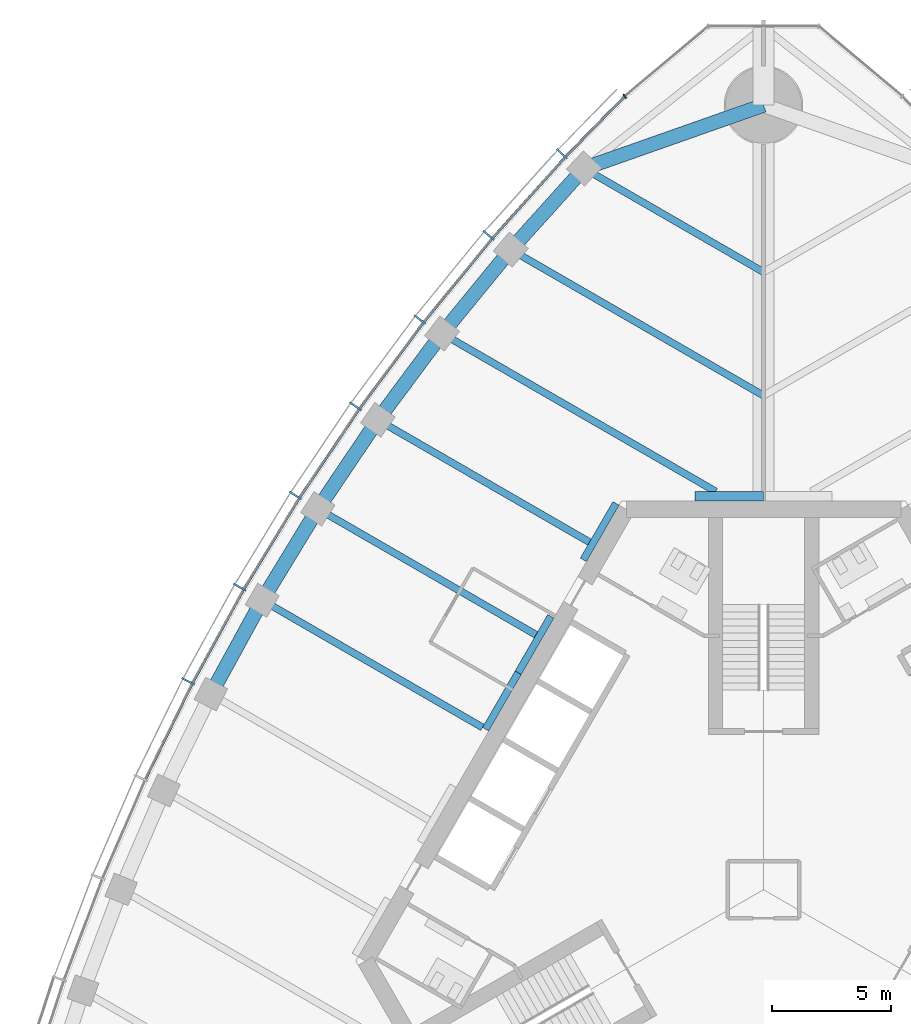
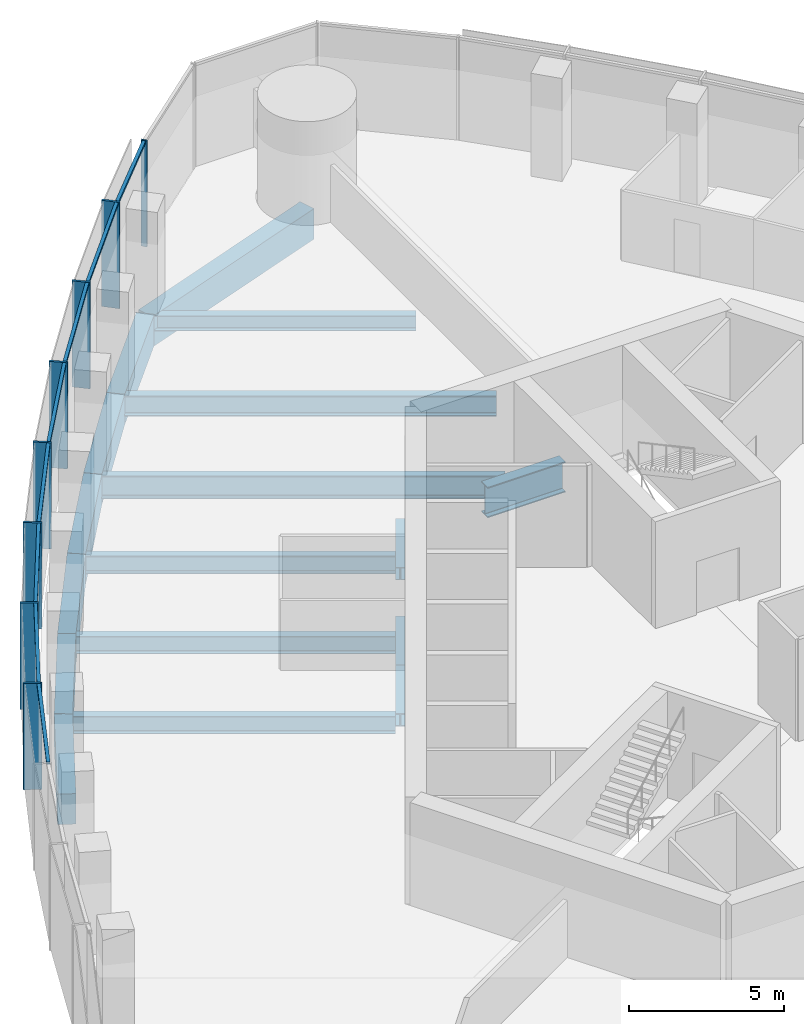
# One storey, part 5 of 19: 17 beams, 16 members, 2 elements without a shape of their own.
"""IFC4 building model written with IfcOpenShell, lengths in metres."""

from ifc_helpers import new_model, si_unit, direction, frame, origin, origin_2d, place, context, subcontext, project, spatial, rectangle, i_section, extrude, material, material_profile, profile_set, type_object, element, aggregate, save


model = new_model("IFC4")

# Units and contexts
model_context = context("Model", 3, precision=1e-05, world=origin(), true_north=direction((0.0, 1.0)))
body_context = subcontext(model_context, "Body", "Model", "MODEL_VIEW")
ifc_project = project(units=[si_unit("LENGTHUNIT", "METRE"), si_unit("AREAUNIT", "SQUARE_METRE"), si_unit("VOLUMEUNIT", "CUBIC_METRE"), si_unit("PLANEANGLEUNIT", "RADIAN"), si_unit("MASSUNIT", "GRAM", prefix="KILO")], contexts=[model_context])

# Site, building, storey
site_placement = place(None, origin())
site = spatial("IfcSite", under=ifc_project, at=site_placement, CompositionType="ELEMENT")
building_placement = place(site_placement, origin())
building = spatial("IfcBuilding", under=site, at=building_placement, Name="Trefoil Bronze Tower", CompositionType="ELEMENT")
storey_placement = place(building_placement, frame((0.0, 0.0, 235.89990234375)))
storey = spatial("IfcBuildingStorey", under=building, at=storey_placement, Name="L54", CompositionType="ELEMENT", Elevation=235.89990234375)

# Curtain wall, members
ifc_material_1 = material(Name="Tinted solar-control glass", Category="glass")
curtain_wall_type_1 = type_object("IfcCurtainWallType", Name="Bronze office curtain wall", PredefinedType="USERDEFINED", material=ifc_material_1)
curtain_wall_1_placement = place(storey_placement, origin())
curtain_wall_1 = element("IfcCurtainWall", 1, at=curtain_wall_1_placement, inside=storey, type_object=curtain_wall_type_1, Name="CW-A L54 F3", ObjectType="CURTAIN WALL", PredefinedType="USERDEFINED")
ifc_material_2 = material(Name="Bronze-finish aluminium", Category="aluminium")
ifc_material_profile_1 = material_profile(ifc_material_2, rectangle(XDim=0.60009765625, YDim=0.080078125, at=origin_2d()), Name="CW-A mullion")
ifc_profile_set_1 = profile_set([ifc_material_profile_1], Name="Bronze-finish aluminium")
member_type_1 = type_object("IfcMemberType", Name="Bronze office curtain wall mullion", PredefinedType="MULLION", material=ifc_profile_set_1)
member_1_placement = place(storey_placement, frame((-8.482177734375, 30.95654296875, 0.0), z_axis=(0.0, 0.0, 1.0), x_axis=(0.729859580661, -0.683597098091, 0.0)))
member_1 = element("IfcMember", 2, at=member_1_placement, type_object=member_type_1, Name="CW-A L54 F3 mullion 2", PredefinedType="MULLION", context=body_context, shape_type="SweptSolid", body=[
    extrude(rectangle(XDim=0.60009765625, YDim=0.080078125, at=origin_2d()), origin(), (0.0, 0.0, 1.0), 4.18017578125),
])
member_2_placement = place(storey_placement, frame((-11.564697265625, 27.525146484375, 0.0), z_axis=(0.0, 0.0, 1.0), x_axis=(0.75935470958, -0.650676897576, 0.0)))
member_2 = element("IfcMember", 3, at=member_2_placement, type_object=member_type_1, Name="CW-A L54 F3 mullion 3", PredefinedType="MULLION", context=body_context, shape_type="SweptSolid", body=[
    extrude(rectangle(XDim=0.60009765625, YDim=0.080078125, at=origin_2d()), origin(), (0.0, 0.0, 1.0), 4.18017578125),
])
member_3_placement = place(storey_placement, frame((-14.45849609375, 23.98388671875, 0.0), z_axis=(0.0, 0.0, 1.0), x_axis=(0.788821461078, -0.614622406476, 0.0)))
member_3 = element("IfcMember", 4, at=member_3_placement, type_object=member_type_1, Name="CW-A L54 F3 mullion 4", PredefinedType="MULLION", context=body_context, shape_type="SweptSolid", body=[
    extrude(rectangle(XDim=0.60009765625, YDim=0.080078125, at=origin_2d()), origin(), (0.0, 0.0, 1.0), 4.18017578125),
])
member_4_placement = place(storey_placement, frame((-17.167236328125, 20.335693359375, 0.0), z_axis=(0.0, 0.0, 1.0), x_axis=(0.81640398396, -0.577481198806, 0.0)))
member_4 = element("IfcMember", 5, at=member_4_placement, type_object=member_type_1, Name="CW-A L54 F3 mullion 5", PredefinedType="MULLION", context=body_context, shape_type="SweptSolid", body=[
    extrude(rectangle(XDim=0.60009765625, YDim=0.080078125, at=origin_2d()), origin(), (0.0, 0.0, 1.0), 4.18017578125),
])
member_5_placement = place(storey_placement, frame((-19.694091796875, 16.58251953125, 0.0), z_axis=(0.0, 0.0, 1.0), x_axis=(0.842132664593, -0.539270410114, 0.0)))
member_5 = element("IfcMember", 6, at=member_5_placement, type_object=member_type_1, Name="CW-A L54 F3 mullion 6", PredefinedType="MULLION", context=body_context, shape_type="SweptSolid", body=[
    extrude(rectangle(XDim=0.60009765625, YDim=0.080078125, at=origin_2d()), origin(), (0.0, 0.0, 1.0), 4.18017578125),
])
member_6_placement = place(storey_placement, frame((-22.041015625, 12.725341796875, 0.0), z_axis=(0.0, 0.0, 1.0), x_axis=(0.866025403784, -0.5, 0.0)))
member_6 = element("IfcMember", 7, at=member_6_placement, type_object=member_type_1, Name="CW-A L54 F3 mullion 7", PredefinedType="MULLION", context=body_context, shape_type="SweptSolid", body=[
    extrude(rectangle(XDim=0.60009765625, YDim=0.080078125, at=origin_2d()), origin(), (0.0, 0.0, 1.0), 4.18017578125),
])
member_7_placement = place(storey_placement, frame((-24.2080078125, 8.764404296875, 0.0), z_axis=(0.0, 0.0, 1.0), x_axis=(0.888088206965, -0.459673075837, 0.0)))
member_7 = element("IfcMember", 8, at=member_7_placement, type_object=member_type_1, Name="CW-A L54 F3 mullion 8", PredefinedType="MULLION", context=body_context, shape_type="SweptSolid", body=[
    extrude(rectangle(XDim=0.60009765625, YDim=0.080078125, at=origin_2d()), origin(), (0.0, 0.0, 1.0), 4.18017578125),
])
ifc_material_3 = material(Name="Bronze-finish aluminium", Category="aluminium")
ifc_material_profile_2 = material_profile(ifc_material_3, rectangle(XDim=0.1201171875, YDim=0.10009765625, at=origin_2d()), Name="CW-A transom")
ifc_profile_set_2 = profile_set([ifc_material_profile_2], Name="Bronze-finish aluminium")
member_type_2 = type_object("IfcMemberType", Name="Bronze office curtain wall transom", PredefinedType="USERDEFINED", material=ifc_profile_set_2)
member_8_placement = place(storey_placement, frame((-5.873046875, 33.342529296875, 4.130126953125), z_axis=(-0.698646935368, -0.715466602785, 0.0), x_axis=(0.715466602785, -0.698646935368, 0.0)))
member_8 = element("IfcMember", 9, at=member_8_placement, type_object=member_type_2, Name="CW-A L54 F3 transom 1", ObjectType="TRANSOM", PredefinedType="USERDEFINED", context=body_context, shape_type="SweptSolid", body=[
    extrude(rectangle(XDim=0.1201171875, YDim=0.10009765625, at=origin_2d()), origin(), (0.0, 0.0, 1.0), 3.483642578125),
])
member_9_placement = place(storey_placement, frame((-8.364501953125, 30.78857421875, 4.130126953125), z_axis=(-0.66825109551, -0.743935799213, 0.0), x_axis=(0.743935799213, -0.66825109551, 0.0)))
member_9 = element("IfcMember", 10, at=member_9_placement, type_object=member_type_2, Name="CW-A L54 F3 transom 2", ObjectType="TRANSOM", PredefinedType="USERDEFINED", context=body_context, shape_type="SweptSolid", body=[
    extrude(rectangle(XDim=0.1201171875, YDim=0.10009765625, at=origin_2d()), origin(), (0.0, 0.0, 1.0), 4.519287109375),
])
member_10_placement = place(storey_placement, frame((-11.439453125, 27.3623046875, 4.130126953125), z_axis=(-0.632756871921, -0.774350528531, 0.0), x_axis=(0.774350528531, -0.632756871921, 0.0)))
member_10 = element("IfcMember", 11, at=member_10_placement, type_object=member_type_2, Name="CW-A L54 F3 transom 3", ObjectType="TRANSOM", PredefinedType="USERDEFINED", context=body_context, shape_type="SweptSolid", body=[
    extrude(rectangle(XDim=0.1201171875, YDim=0.10009765625, at=origin_2d()), origin(), (0.0, 0.0, 1.0), 4.4794921875),
])
member_11_placement = place(storey_placement, frame((-14.325927734375, 23.826904296875, 4.130126953125), z_axis=(-0.59614822717, -0.802874393191, 0.0), x_axis=(0.802874393191, -0.59614822717, 0.0)))
member_11 = element("IfcMember", 12, at=member_11_placement, type_object=member_type_2, Name="CW-A L54 F3 transom 4", ObjectType="TRANSOM", PredefinedType="USERDEFINED", context=body_context, shape_type="SweptSolid", body=[
    extrude(rectangle(XDim=0.1201171875, YDim=0.10009765625, at=origin_2d()), origin(), (0.0, 0.0, 1.0), 4.449951171875),
])
member_12_placement = place(storey_placement, frame((-17.027587890625, 20.18505859375, 4.130126953125), z_axis=(-0.558509087547, -0.829498402125, 0.0), x_axis=(0.829498402125, -0.558509087547, 0.0)))
member_12 = element("IfcMember", 13, at=member_12_placement, type_object=member_type_2, Name="CW-A L54 F3 transom 5", ObjectType="TRANSOM", PredefinedType="USERDEFINED", context=body_context, shape_type="SweptSolid", body=[
    extrude(rectangle(XDim=0.1201171875, YDim=0.10009765625, at=origin_2d()), origin(), (0.0, 0.0, 1.0), 4.4306640625),
])
member_13_placement = place(storey_placement, frame((-19.5478515625, 16.4384765625, 4.130126953125), z_axis=(-0.519740214649, -0.854324358354, 0.0), x_axis=(0.854324358354, -0.519740214649, 0.0)))
member_13 = element("IfcMember", 14, at=member_13_placement, type_object=member_type_2, Name="CW-A L54 F3 transom 6", ObjectType="TRANSOM", PredefinedType="USERDEFINED", context=body_context, shape_type="SweptSolid", body=[
    extrude(rectangle(XDim=0.1201171875, YDim=0.10009765625, at=origin_2d()), origin(), (0.0, 0.0, 1.0), 4.421142578125),
])
member_14_placement = place(storey_placement, frame((-21.887939453125, 12.588134765625, 4.130126953125), z_axis=(-0.479973729071, -0.877282861683, 0.0), x_axis=(0.877282861683, -0.479973729071, 0.0)))
member_14 = element("IfcMember", 15, at=member_14_placement, type_object=member_type_2, Name="CW-A L54 F3 transom 7", ObjectType="TRANSOM", PredefinedType="USERDEFINED", context=body_context, shape_type="SweptSolid", body=[
    extrude(rectangle(XDim=0.1201171875, YDim=0.10009765625, at=origin_2d()), origin(), (0.0, 0.0, 1.0), 4.421142578125),
])
member_15_placement = place(storey_placement, frame((-24.048828125, 8.634521484375, 4.130126953125), z_axis=(-0.439150835991, -0.898413347657, 0.0), x_axis=(0.898413347657, -0.439150835991, 0.0)))
member_15 = element("IfcMember", 16, at=member_15_placement, type_object=member_type_2, Name="CW-A L54 F3 transom 8", ObjectType="TRANSOM", PredefinedType="USERDEFINED", context=body_context, shape_type="SweptSolid", body=[
    extrude(rectangle(XDim=0.1201171875, YDim=0.10009765625, at=origin_2d()), origin(), (0.0, 0.0, 1.0), 4.430908203125),
])
aggregate(curtain_wall_1, [member_1, member_2, member_3, member_4, member_5, member_6, member_7, member_8, member_9, member_10, member_11, member_12, member_13, member_14, member_15])

# Curtain wall, member
ifc_material_4 = material(Name="Tinted solar-control glass", Category="glass")
curtain_wall_type_2 = type_object("IfcCurtainWallType", Name="Bronze rounded corner curtain wall", PredefinedType="USERDEFINED", material=ifc_material_4)
curtain_wall_2_placement = place(storey_placement, origin())
curtain_wall_2 = element("IfcCurtainWall", 17, at=curtain_wall_2_placement, inside=storey, type_object=curtain_wall_type_2, Name="CW-B L54 K2", ObjectType="CURTAIN WALL", PredefinedType="USERDEFINED")
ifc_material_5 = material(Name="Bronze-finish aluminium", Category="aluminium")
ifc_material_profile_3 = material_profile(ifc_material_5, rectangle(XDim=0.199951171875, YDim=0.06005859375, at=origin_2d()), Name="CW-B mullion")
ifc_profile_set_3 = profile_set([ifc_material_profile_3], Name="Bronze-finish aluminium")
member_type_3 = type_object("IfcMemberType", Name="Bronze rounded corner curtain wall mullion", PredefinedType="MULLION", material=ifc_profile_set_3)
member_16_placement = place(storey_placement, frame((-5.837890625, 33.3779296875, 0.0), z_axis=(0.0, 0.0, 1.0), x_axis=(0.642787609687, -0.766044443119, 0.0)))
member_16 = element("IfcMember", 18, at=member_16_placement, type_object=member_type_3, Name="CW-B L54 K2 mullion 4", PredefinedType="MULLION", context=body_context, shape_type="SweptSolid", body=[
    extrude(rectangle(XDim=0.199951171875, YDim=0.06005859375, at=origin_2d()), origin(), (0.0, 0.0, 1.0), 4.18017578125),
])
aggregate(curtain_wall_2, [member_16])

# Beams
ifc_material_6 = material(Name="Steel C355", Category="steel")
ifc_material_profile_4 = material_profile(ifc_material_6, i_section(OverallWidth=0.300048828125, OverallDepth=0.5, WebThickness=0.014404296875, FlangeThickness=0.028076171875, FilletRadius=0.027099609375, at=origin_2d()), Name="HEB 500")
ifc_profile_set_4 = profile_set([ifc_material_profile_4], Name="Steel C355")
beam_type_1 = type_object("IfcBeamType", Name="Core seat beam HEB 500", PredefinedType="BEAM", material=ifc_profile_set_4)
for number, where, z_axis, x_axis, name in (
    (19, (-6.20654296875, 16.25, -0.449951171875), (-0.499969057507, -0.866043267704, 0.0), (0.866043267704, -0.499969057507, 0.0), "Core seat beam F3/-2 L54"),
    (20, (-8.948974609375, 11.5, -0.449951171875), (-0.499969057507, -0.866043267704, 0.0), (0.866043267704, -0.499969057507, 0.0), "Core seat beam F3/-1 L54"),
    (21, (-10.320068359375, 9.125, -0.449951171875), (-0.500035825175, -0.866004719122, 0.0), (0.866004719122, -0.500035825175, 0.0), "Core seat beam F3/+0 L54"),
):
    element("IfcBeam", number, at=place(storey_placement, frame(where, z_axis=z_axis, x_axis=x_axis)), inside=storey, type_object=beam_type_1, Name=name, PredefinedType="BEAM", context=body_context, shape_type="SweptSolid", body=[
        extrude(i_section(OverallWidth=0.300048828125, OverallDepth=0.5, WebThickness=0.014404296875, FlangeThickness=0.028076171875, FilletRadius=0.027099609375, at=origin_2d()), origin(), (0.0, 0.0, 1.0), 2.742431640625),
    ])
ifc_material_7 = material(Name="Steel C355", Category="steel")
ifc_material_profile_5 = material_profile(ifc_material_7, i_section(OverallWidth=0.39990234375, OverallDepth=1.199951171875, WebThickness=0.02001953125, FlangeThickness=0.0400390625, FilletRadius=0.010009765625, at=origin_2d()), Name="WPG 1200")
ifc_profile_set_5 = profile_set([ifc_material_profile_5], Name="Steel C355")
beam_type_2 = type_object("IfcBeamType", Name="Core seat beam WPG 1200", PredefinedType="BEAM", material=ifc_profile_set_5)
beam_1_placement = place(storey_placement, frame((0.0, 16.550048828125, -0.7998046875), z_axis=(-1.0, 0.0, 0.0), x_axis=(0.0, -1.0, 0.0)))
element("IfcBeam", 22, at=beam_1_placement, inside=storey, type_object=beam_type_2, Name="Core seat beam F3/-3 L54", PredefinedType="BEAM", context=body_context, shape_type="SweptSolid", body=[
    extrude(i_section(OverallWidth=0.39990234375, OverallDepth=1.199951171875, WebThickness=0.02001953125, FlangeThickness=0.0400390625, FilletRadius=0.010009765625, at=origin_2d()), origin(), (0.0, 0.0, 1.0), 2.88671875),
])
ifc_material_8 = material(Name="Concrete B80", Category="concrete")
ifc_material_profile_6 = material_profile(ifc_material_8, rectangle(XDim=0.60009765625, YDim=1.199951171875, at=origin_2d()), Name="RC 600x1200")
ifc_profile_set_6 = profile_set([ifc_material_profile_6], Name="Concrete B80")
beam_type_3 = type_object("IfcBeamType", Name="End spandrel beam RC 600x1200", PredefinedType="SPANDREL", material=ifc_profile_set_6)
beam_2_placement = place(storey_placement, frame((0.0, 33.0, -0.7998046875), z_axis=(-0.943234397359, -0.332127794137, 0.0), x_axis=(0.332127794137, -0.943234397359, 0.0)))
element("IfcBeam", 23, at=beam_2_placement, inside=storey, type_object=beam_type_3, Name="Spandrel F3.1 L54", PredefinedType="SPANDREL", context=body_context, shape_type="SweptSolid", body=[
    extrude(rectangle(XDim=0.60009765625, YDim=1.199951171875, at=origin_2d()), origin(), (0.0, 0.0, 1.0), 8.006591796875),
])
ifc_material_9 = material(Name="Steel C355", Category="steel")
ifc_material_profile_7 = material_profile(ifc_material_9, i_section(OverallWidth=0.300048828125, OverallDepth=0.590087890625, WebThickness=0.012939453125, FlangeThickness=0.02490234375, FilletRadius=0.027099609375, at=origin_2d()), Name="HEA 600")
ifc_profile_set_7 = profile_set([ifc_material_profile_7], Name="Steel C355")
beam_type_4 = type_object("IfcBeamType", Name="Floor beam HEA 600", PredefinedType="BEAM", material=ifc_profile_set_7)
beam_3_placement = place(storey_placement, frame((-7.552001953125, 30.3408203125, -0.494873046875), z_axis=(0.866027535932, -0.499996306993, 0.0), x_axis=(0.499996306993, 0.866027535932, 0.0)))
element("IfcBeam", 24, at=beam_3_placement, inside=storey, type_object=beam_type_4, Name="Floor beam F3/-5 L54", PredefinedType="BEAM", context=body_context, shape_type="SweptSolid", body=[
    extrude(i_section(OverallWidth=0.300048828125, OverallDepth=0.590087890625, WebThickness=0.012939453125, FlangeThickness=0.02490234375, FilletRadius=0.027099609375, at=origin_2d()), origin(), (0.0, 0.0, 1.0), 8.72021484375),
])
ifc_material_10 = material(Name="Steel C355", Category="steel")
ifc_material_profile_8 = material_profile(ifc_material_10, i_section(OverallWidth=0.300048828125, OverallDepth=0.699951171875, WebThickness=0.01708984375, FlangeThickness=0.031982421875, FilletRadius=0.027099609375, at=origin_2d()), Name="HEB 700")
ifc_profile_set_8 = profile_set([ifc_material_profile_8], Name="Steel C355")
beam_type_5 = type_object("IfcBeamType", Name="Floor beam HEB 700", PredefinedType="BEAM", material=ifc_profile_set_8)
beam_4_placement = place(storey_placement, frame((-16.2265625, 19.7607421875, -0.5498046875), z_axis=(0.866019527493, -0.500010177898, 0.0), x_axis=(0.500010177898, 0.866019527493, 0.0)))
element("IfcBeam", 25, at=beam_4_placement, inside=storey, type_object=beam_type_5, Name="Floor beam F3/-2 L54", PredefinedType="BEAM", context=body_context, shape_type="SweptSolid", body=[
    extrude(i_section(OverallWidth=0.300048828125, OverallDepth=0.699951171875, WebThickness=0.01708984375, FlangeThickness=0.031982421875, FilletRadius=0.027099609375, at=origin_2d()), origin(), (0.0, 0.0, 1.0), 10.282958984375),
])
beam_5_placement = place(storey_placement, frame((-18.748046875, 16.020263671875, -0.5498046875), z_axis=(0.86602981261, -0.499992363612, 0.0), x_axis=(0.499992363612, 0.86602981261, 0.0)))
element("IfcBeam", 26, at=beam_5_placement, inside=storey, type_object=beam_type_5, Name="Floor beam F3/-1 L54", PredefinedType="BEAM", context=body_context, shape_type="SweptSolid", body=[
    extrude(i_section(OverallWidth=0.300048828125, OverallDepth=0.699951171875, WebThickness=0.01708984375, FlangeThickness=0.031982421875, FilletRadius=0.027099609375, at=origin_2d()), origin(), (0.0, 0.0, 1.0), 10.596435546875),
])
beam_6_placement = place(storey_placement, frame((-21.08837890625, 12.17529296875, -0.5498046875), z_axis=(0.86602601154, -0.499998947334, 0.0), x_axis=(0.499998947334, 0.86602601154, 0.0)))
element("IfcBeam", 27, at=beam_6_placement, inside=storey, type_object=beam_type_5, Name="Floor beam F3/+0 L54", PredefinedType="BEAM", context=body_context, shape_type="SweptSolid", body=[
    extrude(i_section(OverallWidth=0.300048828125, OverallDepth=0.699951171875, WebThickness=0.01708984375, FlangeThickness=0.031982421875, FilletRadius=0.027099609375, at=origin_2d()), origin(), (0.0, 0.0, 1.0), 10.70068359375),
])
ifc_material_11 = material(Name="Steel C355", Category="steel")
ifc_material_profile_9 = material_profile(ifc_material_11, i_section(OverallWidth=0.300048828125, OverallDepth=0.800048828125, WebThickness=0.017578125, FlangeThickness=0.032958984375, FilletRadius=0.030029296875, at=origin_2d()), Name="HEB 800")
ifc_profile_set_9 = profile_set([ifc_material_profile_9], Name="Steel C355")
beam_type_6 = type_object("IfcBeamType", Name="Floor beam HEB 800", PredefinedType="BEAM", material=ifc_profile_set_9)
beam_7_placement = place(storey_placement, frame((-10.632080078125, 26.923095703125, -0.599853515625), z_axis=(0.866025635187, -0.499999599199, 0.0), x_axis=(0.499999599199, 0.866025635187, 0.0)))
element("IfcBeam", 28, at=beam_7_placement, inside=storey, type_object=beam_type_6, Name="Floor beam F3/-4 L54", PredefinedType="BEAM", context=body_context, shape_type="SweptSolid", body=[
    extrude(i_section(OverallWidth=0.300048828125, OverallDepth=0.800048828125, WebThickness=0.017578125, FlangeThickness=0.032958984375, FilletRadius=0.030029296875, at=origin_2d()), origin(), (0.0, 0.0, 1.0), 12.27685546875),
])
ifc_material_12 = material(Name="Steel C355", Category="steel")
ifc_material_profile_10 = material_profile(ifc_material_12, i_section(OverallWidth=0.300048828125, OverallDepth=0.89990234375, WebThickness=0.0185546875, FlangeThickness=0.034912109375, FilletRadius=0.030029296875, at=origin_2d()), Name="HEB 900")
ifc_profile_set_10 = profile_set([ifc_material_profile_10], Name="Steel C355")
beam_type_7 = type_object("IfcBeamType", Name="Floor beam HEB 900", PredefinedType="BEAM", material=ifc_profile_set_10)
beam_8_placement = place(storey_placement, frame((-13.522216796875, 23.3955078125, -0.64990234375), z_axis=(0.866023461342, -0.500003364394, 0.0), x_axis=(0.500003364394, 0.866023461342, 0.0)))
element("IfcBeam", 29, at=beam_8_placement, inside=storey, type_object=beam_type_7, Name="Floor beam F3/-3 L54", PredefinedType="BEAM", context=body_context, shape_type="SweptSolid", body=[
    extrude(i_section(OverallWidth=0.300048828125, OverallDepth=0.89990234375, WebThickness=0.0185546875, FlangeThickness=0.034912109375, FilletRadius=0.030029296875, at=origin_2d()), origin(), (0.0, 0.0, 1.0), 13.291015625),
])
ifc_material_13 = material(Name="Concrete B80", Category="concrete")
ifc_material_profile_11 = material_profile(ifc_material_13, rectangle(XDim=0.60009765625, YDim=1.199951171875, at=origin_2d()), Name="RC 600x1200")
ifc_profile_set_11 = profile_set([ifc_material_profile_11], Name="Concrete B80")
beam_type_8 = type_object("IfcBeamType", Name="Spandrel beam RC 600x1200", PredefinedType="SPANDREL", material=ifc_profile_set_11)
beam_9_placement = place(storey_placement, frame((-7.552001953125, 30.3408203125, -0.7998046875), z_axis=(-0.669460045872, -0.742848064534, 0.0), x_axis=(0.742848064534, -0.669460045872, 0.0)))
element("IfcBeam", 30, at=beam_9_placement, inside=storey, type_object=beam_type_8, Name="Spandrel F3.2 L54", PredefinedType="SPANDREL", context=body_context, shape_type="SweptSolid", body=[
    extrude(rectangle(XDim=0.60009765625, YDim=1.199951171875, at=origin_2d()), origin(), (0.0, 0.0, 1.0), 4.600830078125),
])
beam_10_placement = place(storey_placement, frame((-10.632080078125, 26.923095703125, -0.7998046875), z_axis=(-0.633753657863, -0.773534938542, 0.0), x_axis=(0.773534938542, -0.633753657863, 0.0)))
element("IfcBeam", 31, at=beam_10_placement, inside=storey, type_object=beam_type_8, Name="Spandrel F3.3 L54", PredefinedType="SPANDREL", context=body_context, shape_type="SweptSolid", body=[
    extrude(rectangle(XDim=0.60009765625, YDim=1.199951171875, at=origin_2d()), origin(), (0.0, 0.0, 1.0), 4.560302734375),
])
beam_11_placement = place(storey_placement, frame((-13.522216796875, 23.3955078125, -0.7998046875), z_axis=(-0.596926078257, -0.802296240236, 0.0), x_axis=(0.802296240236, -0.596926078257, 0.0)))
element("IfcBeam", 32, at=beam_11_placement, inside=storey, type_object=beam_type_8, Name="Spandrel F3.4 L54", PredefinedType="SPANDREL", context=body_context, shape_type="SweptSolid", body=[
    extrude(rectangle(XDim=0.60009765625, YDim=1.199951171875, at=origin_2d()), origin(), (0.0, 0.0, 1.0), 4.530517578125),
])
beam_12_placement = place(storey_placement, frame((-16.2265625, 19.7607421875, -0.7998046875), z_axis=(-0.558964302753, -0.829191719838, 0.0), x_axis=(0.829191719838, -0.558964302753, 0.0)))
element("IfcBeam", 33, at=beam_12_placement, inside=storey, type_object=beam_type_8, Name="Spandrel F3.5 L54", PredefinedType="SPANDREL", context=body_context, shape_type="SweptSolid", body=[
    extrude(rectangle(XDim=0.60009765625, YDim=1.199951171875, at=origin_2d()), origin(), (0.0, 0.0, 1.0), 4.510986328125),
])
for number, where, z_axis, x_axis, name in (
    (34, (-18.748046875, 16.020263671875, -0.7998046875), (-0.519933181394, -0.854206934464, 0.0), (0.854206934464, -0.519933181394, 0.0), "Spandrel F3.6 L54"),
    (35, (-21.08837890625, 12.17529296875, -0.7998046875), (-0.479801903802, -0.87737684783, 0.0), (0.87737684783, -0.479801903802, 0.0), "Spandrel F3.7 L54"),
):
    element("IfcBeam", number, at=place(storey_placement, frame(where, z_axis=z_axis, x_axis=x_axis)), inside=storey, type_object=beam_type_8, Name=name, PredefinedType="SPANDREL", context=body_context, shape_type="SweptSolid", body=[
        extrude(rectangle(XDim=0.60009765625, YDim=1.199951171875, at=origin_2d()), origin(), (0.0, 0.0, 1.0), 4.501220703125),
    ])

save(model, "model.ifc")
